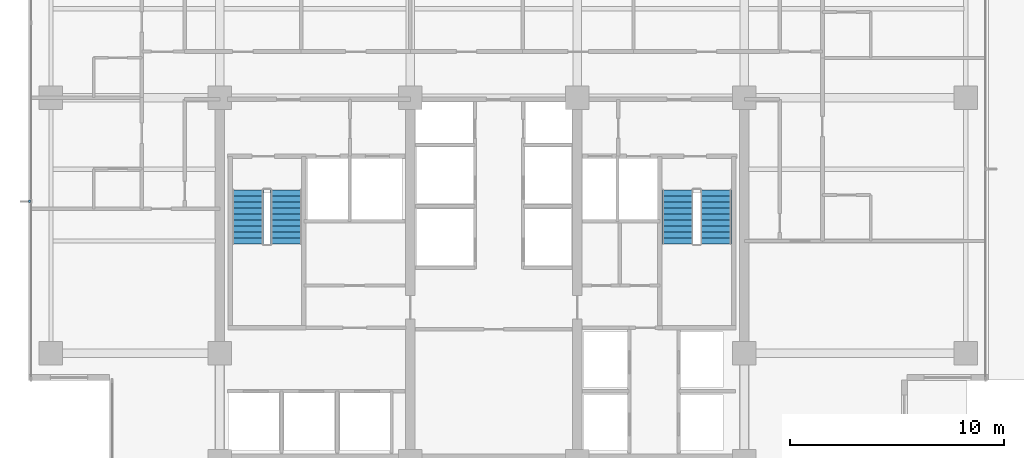
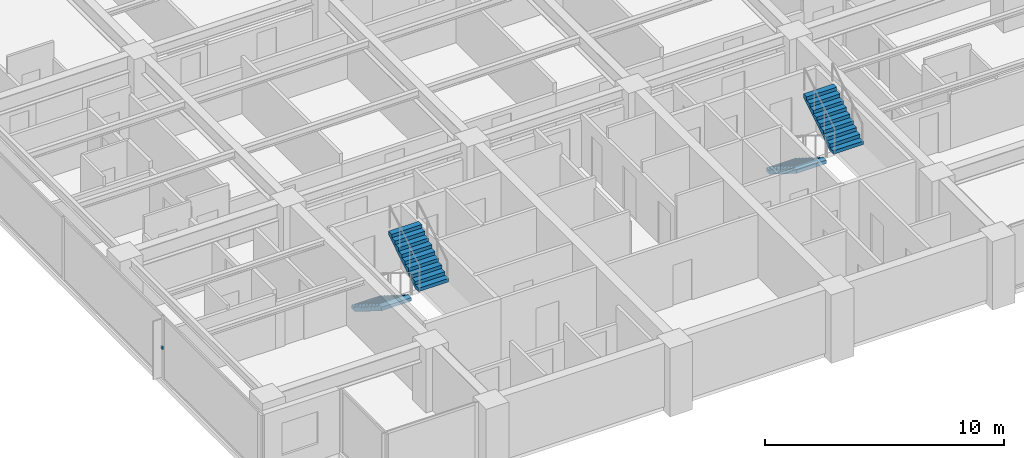
# One storey, part 11 of 16: 4 stair flights, 1 discrete accessory, 2 elements without a shape of their own.
"""IFC4 building model written with IfcOpenShell, lengths in metres."""

from ifc_helpers import new_model, si_unit, direction, frame, origin, place, context, subcontext, project, spatial, polyline, outline, extrude, material, layer, layer_set, type_object, element, aggregate, save


model = new_model("IFC4")

# Units and contexts
model_context = context("Model", 3, precision=1e-05, world=origin(), true_north=direction((0.0, 1.0)))
body_context = subcontext(model_context, "Body", "Model", "MODEL_VIEW")
ifc_project = project(units=[si_unit("LENGTHUNIT", "METRE"), si_unit("AREAUNIT", "SQUARE_METRE"), si_unit("VOLUMEUNIT", "CUBIC_METRE"), si_unit("PLANEANGLEUNIT", "RADIAN"), si_unit("MASSUNIT", "GRAM", prefix="KILO")], contexts=[model_context])

# Site, building, storey
site_placement = place(None, origin())
site = spatial("IfcSite", under=ifc_project, at=site_placement, CompositionType="ELEMENT")
building_placement = place(site_placement, origin())
building = spatial("IfcBuilding", under=site, at=building_placement, Name="Qalmaran Belvedere Hotel", CompositionType="ELEMENT")
storey_placement = place(building_placement, frame((0.0, 0.0, 138.60009765625)))
storey = spatial("IfcBuildingStorey", under=building, at=storey_placement, Name="L34", CompositionType="ELEMENT", Elevation=138.60009765625)

# Stair, stair flights
ifc_material_1 = material(Name="Concrete C40/50", Category="concrete")
stair_type_1 = type_object("IfcStairType", Name="STR-ST-1-1450-R1750", PredefinedType="HALF_TURN_STAIR", material=ifc_material_1)
stair_1_placement = place(storey_placement, origin())
stair_1 = element("IfcStair", 1, at=stair_1_placement, inside=storey, type_object=stair_type_1, Name="L34 West Core Exit Stair ST-1", PredefinedType="HALF_TURN_STAIR")
ifc_layer_1 = layer(ifc_material_1, 0.14990234375, Name="Concrete C40/50")
ifc_layer_set_1 = layer_set([ifc_layer_1], Name="Concrete C40/50")
stair_flight_type_1 = type_object("IfcStairFlightType", Name="STF-ST-1-1450-R1750", PredefinedType="STRAIGHT", material=ifc_layer_set_1)
stair_flight_1_placement = place(storey_placement, frame((21.60498046875, 16.18994140625, 0.0), z_axis=(0.0, 0.0, 1.0), x_axis=(0.0, -1.0, 0.0)))
stair_flight_1 = element("IfcStairFlight", 2, at=stair_flight_1_placement, type_object=stair_flight_type_1, Name="ST-1 flight 1", NumberOfRisers=10, NumberOfTreads=9, PredefinedType="STRAIGHT", RiserHeight=0.175, TreadLength=0.28, context=body_context, shape_type="SweptSolid", body=[
    extrude(outline(polyline([(0.0, 0.0), (0.0, 0.175048828125), (0.280029296875, 0.175048828125), (0.280029296875, 0.35009765625), (0.56005859375, 0.35009765625), (0.56005859375, 0.52490234375), (0.840087890625, 0.52490234375), (0.840087890625, 0.699951171875), (1.1201171875, 0.699951171875), (1.1201171875, 0.875), (1.39990234375, 0.875), (1.39990234375, 1.050048828125), (1.679931640625, 1.050048828125), (1.679931640625, 1.22509765625), (1.9599609375, 1.22509765625), (1.9599609375, 1.39990234375), (2.239990234375, 1.39990234375), (2.239990234375, 1.574951171875), (2.52001953125, 1.574951171875), (2.52001953125, 1.75), (2.52001953125, 1.398193359375), (0.28271484375, 0.0), (0.0, 0.0)])), frame((0.0, 0.72509765625, 0.0), z_axis=(0.0, -1.0, 0.0), x_axis=(1.0, 0.0, 0.0)), (0.0, 0.0, 1.0), 1.449951171875),
])
stair_flight_2_placement = place(storey_placement, frame((23.39501953125, 13.669921875, 1.75), z_axis=(0.0, 0.0, 1.0), x_axis=(0.0, 1.0, 0.0)))
stair_flight_2 = element("IfcStairFlight", 3, at=stair_flight_2_placement, type_object=stair_flight_type_1, Name="ST-1 flight 2", NumberOfRisers=10, NumberOfTreads=9, PredefinedType="STRAIGHT", RiserHeight=0.175, TreadLength=0.28, context=body_context, shape_type="SweptSolid", body=[
    extrude(outline(polyline([(0.0, 0.0), (0.0, 0.175048828125), (0.280029296875, 0.175048828125), (0.280029296875, 0.35009765625), (0.56005859375, 0.35009765625), (0.56005859375, 0.52490234375), (0.840087890625, 0.52490234375), (0.840087890625, 0.699951171875), (1.1201171875, 0.699951171875), (1.1201171875, 0.875), (1.39990234375, 0.875), (1.39990234375, 1.050048828125), (1.679931640625, 1.050048828125), (1.679931640625, 1.22509765625), (1.9599609375, 1.22509765625), (1.9599609375, 1.39990234375), (2.239990234375, 1.39990234375), (2.239990234375, 1.574951171875), (2.52001953125, 1.574951171875), (2.52001953125, 1.75), (2.52001953125, 1.398193359375), (0.28271484375, 0.0), (0.0, 0.0)])), frame((0.0, 0.72509765625, 0.0), z_axis=(0.0, -1.0, 0.0), x_axis=(1.0, 0.0, 0.0)), (0.0, 0.0, 1.0), 1.449951171875),
])
aggregate(stair_1, [stair_flight_1, stair_flight_2])

stair_type_2 = type_object("IfcStairType", Name="STR-ST-2-1450-R1750", PredefinedType="HALF_TURN_STAIR", material=ifc_material_1)
stair_2_placement = place(storey_placement, origin())
stair_2 = element("IfcStair", 4, at=stair_2_placement, inside=storey, type_object=stair_type_2, Name="L34 East Core Exit Stair ST-2", PredefinedType="HALF_TURN_STAIR")
ifc_layer_2 = layer(ifc_material_1, 0.14990234375, Name="Concrete C40/50")
ifc_layer_set_2 = layer_set([ifc_layer_2], Name="Concrete C40/50")
stair_flight_type_2 = type_object("IfcStairFlightType", Name="STF-ST-2-1450-R1750", PredefinedType="STRAIGHT", material=ifc_layer_set_2)
stair_flight_3_placement = place(storey_placement, frame((41.68505859375, 16.18994140625, 0.0), z_axis=(0.0, 0.0, 1.0), x_axis=(0.0, -1.0, 0.0)))
stair_flight_3 = element("IfcStairFlight", 5, at=stair_flight_3_placement, type_object=stair_flight_type_2, Name="ST-2 flight 1", NumberOfRisers=10, NumberOfTreads=9, PredefinedType="STRAIGHT", RiserHeight=0.175, TreadLength=0.28, context=body_context, shape_type="SweptSolid", body=[
    extrude(outline(polyline([(0.0, 0.0), (0.0, 0.175048828125), (0.280029296875, 0.175048828125), (0.280029296875, 0.35009765625), (0.56005859375, 0.35009765625), (0.56005859375, 0.52490234375), (0.840087890625, 0.52490234375), (0.840087890625, 0.699951171875), (1.1201171875, 0.699951171875), (1.1201171875, 0.875), (1.39990234375, 0.875), (1.39990234375, 1.050048828125), (1.679931640625, 1.050048828125), (1.679931640625, 1.22509765625), (1.9599609375, 1.22509765625), (1.9599609375, 1.39990234375), (2.239990234375, 1.39990234375), (2.239990234375, 1.574951171875), (2.52001953125, 1.574951171875), (2.52001953125, 1.75), (2.52001953125, 1.398193359375), (0.28271484375, 0.0), (0.0, 0.0)])), frame((0.0, 0.72509765625, 0.0), z_axis=(0.0, -1.0, 0.0), x_axis=(1.0, 0.0, 0.0)), (0.0, 0.0, 1.0), 1.449951171875),
])
stair_flight_4_placement = place(storey_placement, frame((43.47509765625, 13.669921875, 1.75), z_axis=(0.0, 0.0, 1.0), x_axis=(0.0, 1.0, 0.0)))
stair_flight_4 = element("IfcStairFlight", 6, at=stair_flight_4_placement, type_object=stair_flight_type_2, Name="ST-2 flight 2", NumberOfRisers=10, NumberOfTreads=9, PredefinedType="STRAIGHT", RiserHeight=0.175, TreadLength=0.28, context=body_context, shape_type="SweptSolid", body=[
    extrude(outline(polyline([(0.0, 0.0), (0.0, 0.175048828125), (0.280029296875, 0.175048828125), (0.280029296875, 0.35009765625), (0.56005859375, 0.35009765625), (0.56005859375, 0.52490234375), (0.840087890625, 0.52490234375), (0.840087890625, 0.699951171875), (1.1201171875, 0.699951171875), (1.1201171875, 0.875), (1.39990234375, 0.875), (1.39990234375, 1.050048828125), (1.679931640625, 1.050048828125), (1.679931640625, 1.22509765625), (1.9599609375, 1.22509765625), (1.9599609375, 1.39990234375), (2.239990234375, 1.39990234375), (2.239990234375, 1.574951171875), (2.52001953125, 1.574951171875), (2.52001953125, 1.75), (2.52001953125, 1.398193359375), (0.28271484375, 0.0), (0.0, 0.0)])), frame((0.0, 0.72509765625, 0.0), z_axis=(0.0, -1.0, 0.0), x_axis=(1.0, 0.0, 0.0)), (0.0, 0.0, 1.0), 1.449951171875),
])
aggregate(stair_2, [stair_flight_3, stair_flight_4])

# Discrete accessory
ifc_material_2 = material(Name="Stainless Steel 1.4401", Category="steel")
discrete_accessory_type = type_object("IfcDiscreteAccessoryType", Name="BRK-FIN-SS316", PredefinedType="BRACKET", material=ifc_material_2)
discrete_accessory_placement = place(storey_placement, frame((0.0, 0.0, 1.574951171875)))
element("IfcDiscreteAccessory", 7, at=discrete_accessory_placement, inside=storey, type_object=discrete_accessory_type, Name="L34 Fin Bracket 3", PredefinedType="BRACKET", context=body_context, shape_type="SweptSolid", body=[
    extrude(outline(polyline([(11.455078125, 15.705078125), (11.360107421875, 15.705078125), (11.360107421875, 15.594970703125), (11.455078125, 15.594970703125), (11.455078125, 15.705078125)])), origin(), (0.0, 0.0, 1.0), 0.139892578125),
])

save(model, "model.ifc")
